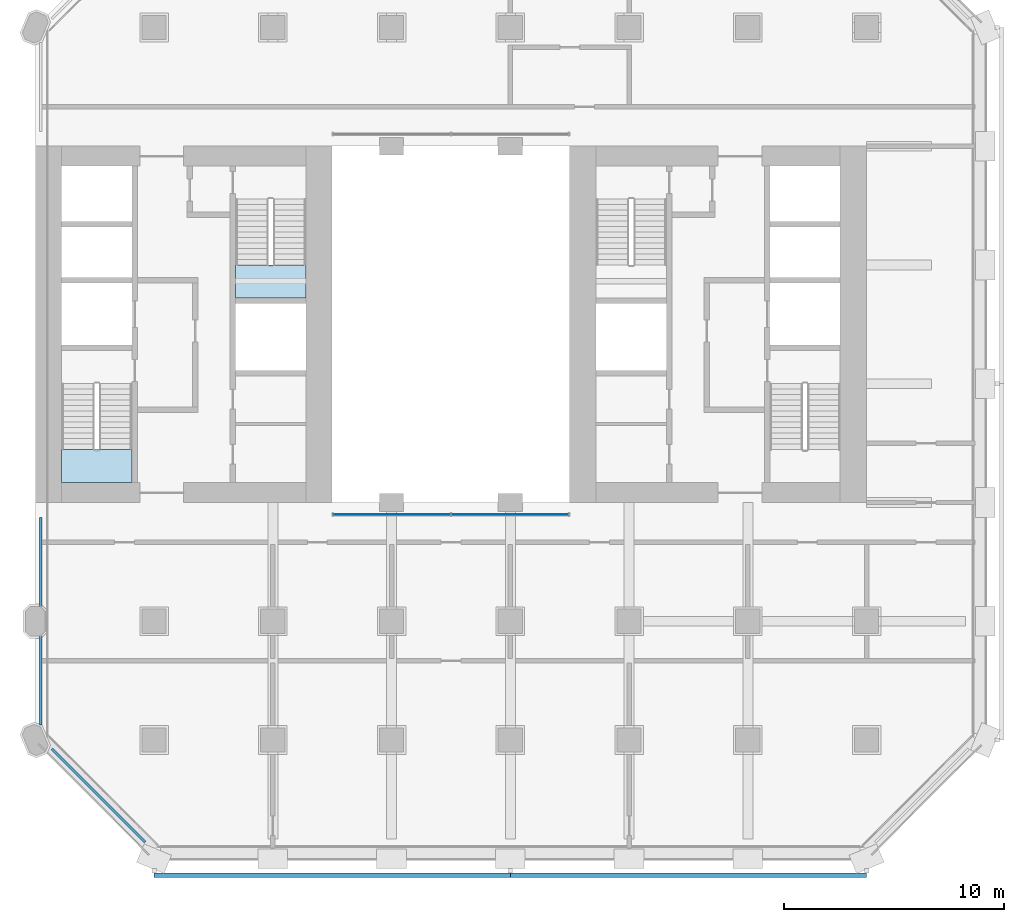
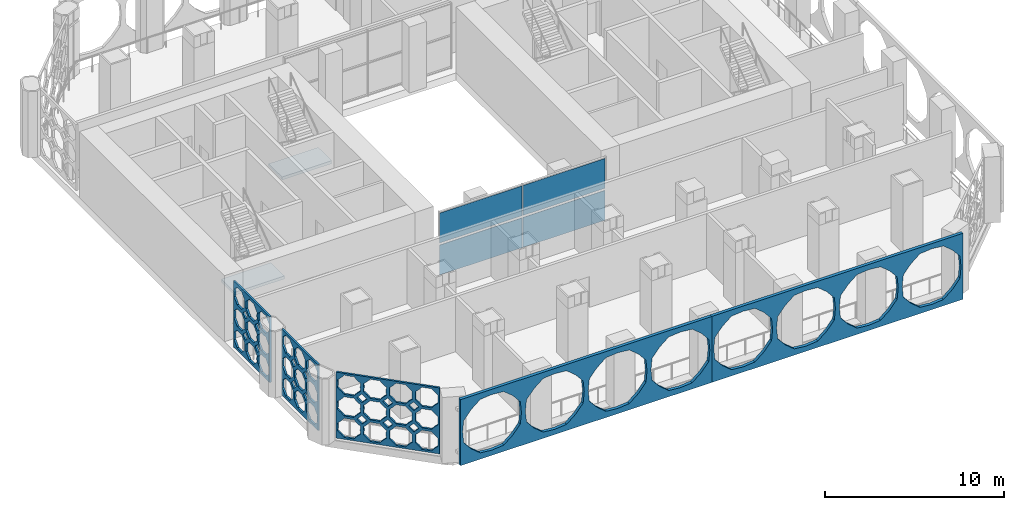
# One storey, part 5 of 14: 9 plates, 2 slabs, 3 elements without a shape of their own.
"""IFC4 building model written with IfcOpenShell, lengths in metres."""

from ifc_helpers import new_model, si_unit, direction, frame, origin, origin_2d, place, context, subcontext, project, spatial, polyline, rectangle, outline, extrude, material, layer, layer_set, type_object, element, aggregate, save


model = new_model("IFC4")

# Units and contexts
model_context = context("Model", 3, precision=1e-05, world=origin(), true_north=direction((0.0, 1.0)))
body_context = subcontext(model_context, "Body", "Model", "MODEL_VIEW")
ifc_project = project(units=[si_unit("LENGTHUNIT", "METRE"), si_unit("AREAUNIT", "SQUARE_METRE"), si_unit("VOLUMEUNIT", "CUBIC_METRE"), si_unit("PLANEANGLEUNIT", "RADIAN"), si_unit("MASSUNIT", "GRAM", prefix="KILO")], contexts=[model_context])

# Site, building, storey
site_placement = place(None, origin())
site = spatial("IfcSite", under=ifc_project, at=site_placement, CompositionType="ELEMENT")
building_placement = place(site_placement, origin())
building = spatial("IfcBuilding", under=site, at=building_placement, Name="Tabaq Tower and Sports Hall", CompositionType="ELEMENT")
storey_placement = place(building_placement, frame((0.0, 0.0, 60.199951171875)))
storey = spatial("IfcBuildingStorey", under=building, at=storey_placement, Name="L13", CompositionType="ELEMENT", Elevation=60.199951171875)

# Curtain wall, plates
ifc_material_1 = material(Name="Aluminium alloy 6063-T6 framed glazing", Category="aluminium")
curtain_wall_type = type_object("IfcCurtainWallType", Name="CW1 curtain wall", PredefinedType="USERDEFINED", material=ifc_material_1)
curtain_wall_placement = place(storey_placement, origin())
curtain_wall = element("IfcCurtainWall", 1, at=curtain_wall_placement, inside=storey, type_object=curtain_wall_type, Name="Atrium glazing L13 S", ObjectType="ATRIUM ENCLOSURE", PredefinedType="USERDEFINED")
ifc_material_2 = material(Name="Clear low-emissivity glass 28 mm", Category="glass")
ifc_layer_1 = layer(ifc_material_2, 0.028076171875)
ifc_layer_set_1 = layer_set([ifc_layer_1], Name="CW1 glass panel 28")
plate_type_1 = type_object("IfcPlateType", Name="CW1 glass panel 28", PredefinedType="CURTAIN_PANEL", material=ifc_layer_set_1)
plate_1_placement = place(storey_placement, frame((21.614990234375, 15.64990234375, 0.14013671875), z_axis=(0.0, 0.0, 1.0), x_axis=(1.0, 0.0, 0.0)))
plate_1 = element("IfcPlate", 2, at=plate_1_placement, type_object=plate_type_1, Name="CW1 panel 1.1", PredefinedType="CURTAIN_PANEL", context=body_context, shape_type="SweptSolid", body=[
    extrude(rectangle(XDim=5.31005859375, YDim=0.028076171875, at=origin_2d()), origin(), (0.0, 0.0, 1.0), 2.0400390625),
])
plate_2_placement = place(storey_placement, frame((21.614990234375, 15.64990234375, 2.320068359375), z_axis=(0.0, 0.0, 1.0), x_axis=(1.0, 0.0, 0.0)))
plate_2 = element("IfcPlate", 3, at=plate_2_placement, type_object=plate_type_1, Name="CW1 panel 1.2", PredefinedType="CURTAIN_PANEL", context=body_context, shape_type="SweptSolid", body=[
    extrude(rectangle(XDim=5.31005859375, YDim=0.028076171875, at=origin_2d()), origin(), (0.0, 0.0, 1.0), 2.0400390625),
])
plate_3_placement = place(storey_placement, frame((26.985107421875, 15.64990234375, 0.14013671875), z_axis=(0.0, 0.0, 1.0), x_axis=(1.0, 0.0, 0.0)))
plate_3 = element("IfcPlate", 4, at=plate_3_placement, type_object=plate_type_1, Name="CW1 panel 2.1", PredefinedType="CURTAIN_PANEL", context=body_context, shape_type="SweptSolid", body=[
    extrude(rectangle(XDim=5.31005859375, YDim=0.028076171875, at=origin_2d()), origin(), (0.0, 0.0, 1.0), 2.0400390625),
])
plate_4_placement = place(storey_placement, frame((26.985107421875, 15.64990234375, 2.320068359375), z_axis=(0.0, 0.0, 1.0), x_axis=(1.0, 0.0, 0.0)))
plate_4 = element("IfcPlate", 5, at=plate_4_placement, type_object=plate_type_1, Name="CW1 panel 2.2", PredefinedType="CURTAIN_PANEL", context=body_context, shape_type="SweptSolid", body=[
    extrude(rectangle(XDim=5.31005859375, YDim=0.028076171875, at=origin_2d()), origin(), (0.0, 0.0, 1.0), 2.0400390625),
])
aggregate(curtain_wall, [plate_1, plate_2, plate_3, plate_4])

# Stair, slab
ifc_material_3 = material(Name="Concrete C40/50", Category="concrete")
stair_type = type_object("IfcStairType", Name="Exit stair", PredefinedType="HALF_TURN_STAIR", material=ifc_material_3)
stair_1_placement = place(storey_placement, origin())
stair_1 = element("IfcStair", 6, at=stair_1_placement, inside=storey, type_object=stair_type, Name="L13 Exit stair ST1", PredefinedType="HALF_TURN_STAIR")
ifc_material_4 = material(Name="Concrete C40/50", Category="concrete")
ifc_layer_2 = layer(ifc_material_4, 0.199951171875)
ifc_layer_set_2 = layer_set([ifc_layer_2], Name="Exit stair landing")
slab_type = type_object("IfcSlabType", Name="Exit stair landing", PredefinedType="LANDING", material=ifc_layer_set_2)
slab_1_placement = place(storey_placement, frame((0.0, 0.0, 2.199951171875)))
slab_1 = element("IfcSlab", 7, at=slab_1_placement, type_object=slab_type, Name="ST1 landing 1", PredefinedType="LANDING", context=body_context, shape_type="SweptSolid", body=[
    extrude(outline(polyline([(6.60009765625, 18.60009765625), (6.60009765625, 17.10009765625), (9.800048828125, 17.10009765625), (9.800048828125, 18.60009765625), (6.60009765625, 18.60009765625)])), origin(), (0.0, 0.0, 1.0), 0.2001953125),
])
aggregate(stair_1, [slab_1])

stair_2_placement = place(storey_placement, origin())
stair_2 = element("IfcStair", 8, at=stair_2_placement, inside=storey, type_object=stair_type, Name="L13 Exit stair ST2", PredefinedType="HALF_TURN_STAIR")
slab_2_placement = place(storey_placement, frame((0.0, 0.0, 2.199951171875)))
slab_2 = element("IfcSlab", 9, at=slab_2_placement, type_object=slab_type, Name="ST2 landing 1", PredefinedType="LANDING", context=body_context, shape_type="SweptSolid", body=[
    extrude(outline(polyline([(14.5, 27.0), (14.5, 25.5), (17.699951171875, 25.5), (17.699951171875, 27.0), (14.5, 27.0)])), origin(), (0.0, 0.0, 1.0), 0.2001953125),
])
aggregate(stair_2, [slab_2])

# Plates
ifc_material_5 = material(Name="White precast concrete C60/75 pierced screen", Category="concrete")
ifc_layer_3 = layer(ifc_material_5, 0.199951171875)
ifc_layer_set_3 = layer_set([ifc_layer_3], Name="White precast concrete C60/75 girih screen 200")
plate_type_2 = type_object("IfcPlateType", Name="White precast concrete C60/75 girih screen 200", PredefinedType="USERDEFINED", material=ifc_layer_set_3)
plate_5_placement = place(storey_placement, frame((10.800048828125, -0.75, 0.0), z_axis=(0.0, 0.0, 1.0), x_axis=(1.0, 0.0, 0.0)))
element("IfcPlate", 10, at=plate_5_placement, inside=storey, type_object=plate_type_2, Name="Girih screen L13 S", ObjectType="SCREEN", PredefinedType="USERDEFINED", context=body_context, shape_type="SweptSolid", body=[
    extrude(outline(polyline([(0.0, 0.0), (16.199951171875, 0.0), (16.199951171875, 4.5), (0.0, 4.5), (0.0, 0.0)]), holes=[polyline([(3.85107421875, 3.00634765625), (3.36669921875, 3.591552734375), (2.78125, 4.075927734375), (2.02490234375, 4.1474609375), (1.2685546875, 4.075927734375), (0.683349609375, 3.591552734375), (0.198974609375, 3.00634765625), (0.127685546875, 2.25), (0.198974609375, 1.49365234375), (0.683349609375, 0.908447265625), (1.2685546875, 0.424072265625), (2.02490234375, 0.352783203125), (2.78125, 0.424072265625), (3.36669921875, 0.908447265625), (3.85107421875, 1.49365234375), (3.92236328125, 2.25), (3.85107421875, 3.00634765625)]), polyline([(7.90087890625, 3.00634765625), (7.41650390625, 3.591552734375), (6.831298828125, 4.075927734375), (6.074951171875, 4.1474609375), (5.318603515625, 4.075927734375), (4.7333984375, 3.591552734375), (4.2490234375, 3.00634765625), (4.177734375, 2.25), (4.2490234375, 1.49365234375), (4.7333984375, 0.908447265625), (5.318603515625, 0.424072265625), (6.074951171875, 0.352783203125), (6.831298828125, 0.424072265625), (7.41650390625, 0.908447265625), (7.90087890625, 1.49365234375), (7.972412109375, 2.25), (7.90087890625, 3.00634765625)]), polyline([(11.950927734375, 3.00634765625), (11.466552734375, 3.591552734375), (10.88134765625, 4.075927734375), (10.125, 4.1474609375), (9.36865234375, 4.075927734375), (8.783447265625, 3.591552734375), (8.299072265625, 3.00634765625), (8.2275390625, 2.25), (8.299072265625, 1.49365234375), (8.783447265625, 0.908447265625), (9.36865234375, 0.424072265625), (10.125, 0.352783203125), (10.88134765625, 0.424072265625), (11.466552734375, 0.908447265625), (11.950927734375, 1.49365234375), (12.0224609375, 2.25), (11.950927734375, 3.00634765625)]), polyline([(16.0009765625, 3.00634765625), (15.5166015625, 3.591552734375), (14.931396484375, 4.075927734375), (14.175048828125, 4.1474609375), (13.418701171875, 4.075927734375), (12.83349609375, 3.591552734375), (12.34912109375, 3.00634765625), (12.277587890625, 2.25), (12.34912109375, 1.49365234375), (12.83349609375, 0.908447265625), (13.418701171875, 0.424072265625), (14.175048828125, 0.352783203125), (14.931396484375, 0.424072265625), (15.5166015625, 0.908447265625), (16.0009765625, 1.49365234375), (16.072265625, 2.25), (16.0009765625, 3.00634765625)])]), frame((0.0, 0.10009765625, 0.0), z_axis=(0.0, -1.0, 0.0), x_axis=(1.0, 0.0, 0.0)), (0.0, 0.0, 1.0), 0.199951171875),
])
plate_6_placement = place(storey_placement, frame((27.0, -0.75, 0.0), z_axis=(0.0, 0.0, 1.0), x_axis=(1.0, 0.0, 0.0)))
element("IfcPlate", 11, at=plate_6_placement, inside=storey, type_object=plate_type_2, Name="Girih screen L13 S", ObjectType="SCREEN", PredefinedType="USERDEFINED", context=body_context, shape_type="SweptSolid", body=[
    extrude(outline(polyline([(0.0, 0.0), (16.199951171875, 0.0), (16.199951171875, 4.5), (0.0, 4.5), (0.0, 0.0)]), holes=[polyline([(3.85107421875, 3.00634765625), (3.36669921875, 3.591552734375), (2.78125, 4.075927734375), (2.02490234375, 4.1474609375), (1.2685546875, 4.075927734375), (0.683349609375, 3.591552734375), (0.198974609375, 3.00634765625), (0.127685546875, 2.25), (0.198974609375, 1.49365234375), (0.683349609375, 0.908447265625), (1.2685546875, 0.424072265625), (2.02490234375, 0.352783203125), (2.78125, 0.424072265625), (3.36669921875, 0.908447265625), (3.85107421875, 1.49365234375), (3.92236328125, 2.25), (3.85107421875, 3.00634765625)]), polyline([(7.90087890625, 3.00634765625), (7.41650390625, 3.591552734375), (6.831298828125, 4.075927734375), (6.074951171875, 4.1474609375), (5.318603515625, 4.075927734375), (4.7333984375, 3.591552734375), (4.2490234375, 3.00634765625), (4.177734375, 2.25), (4.2490234375, 1.49365234375), (4.7333984375, 0.908447265625), (5.318603515625, 0.424072265625), (6.074951171875, 0.352783203125), (6.831298828125, 0.424072265625), (7.41650390625, 0.908447265625), (7.90087890625, 1.49365234375), (7.972412109375, 2.25), (7.90087890625, 3.00634765625)]), polyline([(11.950927734375, 3.00634765625), (11.466552734375, 3.591552734375), (10.88134765625, 4.075927734375), (10.125, 4.1474609375), (9.36865234375, 4.075927734375), (8.783447265625, 3.591552734375), (8.299072265625, 3.00634765625), (8.2275390625, 2.25), (8.299072265625, 1.49365234375), (8.783447265625, 0.908447265625), (9.36865234375, 0.424072265625), (10.125, 0.352783203125), (10.88134765625, 0.424072265625), (11.466552734375, 0.908447265625), (11.950927734375, 1.49365234375), (12.0224609375, 2.25), (11.950927734375, 3.00634765625)]), polyline([(16.0009765625, 3.00634765625), (15.5166015625, 3.591552734375), (14.931396484375, 4.075927734375), (14.175048828125, 4.1474609375), (13.418701171875, 4.075927734375), (12.83349609375, 3.591552734375), (12.34912109375, 3.00634765625), (12.277587890625, 2.25), (12.34912109375, 1.49365234375), (12.83349609375, 0.908447265625), (13.418701171875, 0.424072265625), (14.175048828125, 0.352783203125), (14.931396484375, 0.424072265625), (15.5166015625, 0.908447265625), (16.0009765625, 1.49365234375), (16.072265625, 2.25), (16.0009765625, 3.00634765625)])]), frame((0.0, 0.10009765625, 0.0), z_axis=(0.0, -1.0, 0.0), x_axis=(1.0, 0.0, 0.0)), (0.0, 0.0, 1.0), 0.199951171875),
])
ifc_material_6 = material(Name="White precast concrete C60/75 pierced screen", Category="concrete")
ifc_layer_4 = layer(ifc_material_6, 0.1201171875)
ifc_layer_set_4 = layer_set([ifc_layer_4], Name="White precast concrete C60/75 screen 120")
plate_type_3 = type_object("IfcPlateType", Name="White precast concrete C60/75 screen 120", PredefinedType="USERDEFINED", material=ifc_layer_set_4)
plate_7_placement = place(storey_placement, frame((5.64990234375, 15.52490234375, 0.0), z_axis=(0.0, 0.0, 1.0), x_axis=(0.0, -1.0, 0.0)))
element("IfcPlate", 12, at=plate_7_placement, inside=storey, type_object=plate_type_3, Name="Pierced screen L13 W", ObjectType="SCREEN", PredefinedType="USERDEFINED", context=body_context, shape_type="SweptSolid", body=[
    extrude(outline(polyline([(0.0, 0.0), (4.0498046875, 0.0), (4.0498046875, 4.5), (0.0, 4.5), (0.0, 0.0)]), holes=[polyline([(1.28369140625, 1.035400390625), (1.09423828125, 1.20263671875), (0.927001953125, 1.39208984375), (0.675048828125, 1.376220703125), (0.4228515625, 1.39208984375), (0.255859375, 1.20263671875), (0.06640625, 1.035400390625), (0.08203125, 0.783447265625), (0.06640625, 0.53125), (0.255859375, 0.364013671875), (0.4228515625, 0.1748046875), (0.675048828125, 0.1904296875), (0.927001953125, 0.1748046875), (1.09423828125, 0.364013671875), (1.28369140625, 0.53125), (1.267822265625, 0.783447265625), (1.28369140625, 1.035400390625)]), polyline([(1.28369140625, 2.502197265625), (1.09423828125, 2.669189453125), (0.927001953125, 2.858642578125), (0.675048828125, 2.843017578125), (0.4228515625, 2.858642578125), (0.255859375, 2.669189453125), (0.06640625, 2.502197265625), (0.08203125, 2.25), (0.06640625, 1.998046875), (0.255859375, 1.830810546875), (0.4228515625, 1.641357421875), (0.675048828125, 1.6572265625), (0.927001953125, 1.641357421875), (1.09423828125, 1.830810546875), (1.28369140625, 1.998046875), (1.267822265625, 2.25), (1.28369140625, 2.502197265625)]), polyline([(1.28369140625, 3.96875), (1.09423828125, 4.135986328125), (0.927001953125, 4.325439453125), (0.675048828125, 4.3095703125), (0.4228515625, 4.325439453125), (0.255859375, 4.135986328125), (0.06640625, 3.96875), (0.08203125, 3.716796875), (0.06640625, 3.464599609375), (0.255859375, 3.29736328125), (0.4228515625, 3.108154296875), (0.675048828125, 3.123779296875), (0.927001953125, 3.108154296875), (1.09423828125, 3.29736328125), (1.28369140625, 3.464599609375), (1.267822265625, 3.716796875), (1.28369140625, 3.96875)]), polyline([(2.633544921875, 1.035400390625), (2.4443359375, 1.20263671875), (2.277099609375, 1.39208984375), (2.02490234375, 1.376220703125), (1.77294921875, 1.39208984375), (1.605712890625, 1.20263671875), (1.416259765625, 1.035400390625), (1.43212890625, 0.783447265625), (1.416259765625, 0.53125), (1.605712890625, 0.364013671875), (1.77294921875, 0.1748046875), (2.02490234375, 0.1904296875), (2.277099609375, 0.1748046875), (2.4443359375, 0.364013671875), (2.633544921875, 0.53125), (2.617919921875, 0.783447265625), (2.633544921875, 1.035400390625)]), polyline([(2.633544921875, 2.502197265625), (2.4443359375, 2.669189453125), (2.277099609375, 2.858642578125), (2.02490234375, 2.843017578125), (1.77294921875, 2.858642578125), (1.605712890625, 2.669189453125), (1.416259765625, 2.502197265625), (1.43212890625, 2.25), (1.416259765625, 1.998046875), (1.605712890625, 1.830810546875), (1.77294921875, 1.641357421875), (2.02490234375, 1.6572265625), (2.277099609375, 1.641357421875), (2.4443359375, 1.830810546875), (2.633544921875, 1.998046875), (2.617919921875, 2.25), (2.633544921875, 2.502197265625)]), polyline([(2.633544921875, 3.96875), (2.4443359375, 4.135986328125), (2.277099609375, 4.325439453125), (2.02490234375, 4.3095703125), (1.77294921875, 4.325439453125), (1.605712890625, 4.135986328125), (1.416259765625, 3.96875), (1.43212890625, 3.716796875), (1.416259765625, 3.464599609375), (1.605712890625, 3.29736328125), (1.77294921875, 3.108154296875), (2.02490234375, 3.123779296875), (2.277099609375, 3.108154296875), (2.4443359375, 3.29736328125), (2.633544921875, 3.464599609375), (2.617919921875, 3.716796875), (2.633544921875, 3.96875)]), polyline([(3.983642578125, 1.035400390625), (3.794189453125, 1.20263671875), (3.627197265625, 1.39208984375), (3.375, 1.376220703125), (3.122802734375, 1.39208984375), (2.955810546875, 1.20263671875), (2.766357421875, 1.035400390625), (2.781982421875, 0.783447265625), (2.766357421875, 0.53125), (2.955810546875, 0.364013671875), (3.122802734375, 0.1748046875), (3.375, 0.1904296875), (3.627197265625, 0.1748046875), (3.794189453125, 0.364013671875), (3.983642578125, 0.53125), (3.968017578125, 0.783447265625), (3.983642578125, 1.035400390625)]), polyline([(3.983642578125, 2.502197265625), (3.794189453125, 2.669189453125), (3.627197265625, 2.858642578125), (3.375, 2.843017578125), (3.122802734375, 2.858642578125), (2.955810546875, 2.669189453125), (2.766357421875, 2.502197265625), (2.781982421875, 2.25), (2.766357421875, 1.998046875), (2.955810546875, 1.830810546875), (3.122802734375, 1.641357421875), (3.375, 1.6572265625), (3.627197265625, 1.641357421875), (3.794189453125, 1.830810546875), (3.983642578125, 1.998046875), (3.968017578125, 2.25), (3.983642578125, 2.502197265625)]), polyline([(3.983642578125, 3.96875), (3.794189453125, 4.135986328125), (3.627197265625, 4.325439453125), (3.375, 4.3095703125), (3.122802734375, 4.325439453125), (2.955810546875, 4.135986328125), (2.766357421875, 3.96875), (2.781982421875, 3.716796875), (2.766357421875, 3.464599609375), (2.955810546875, 3.29736328125), (3.122802734375, 3.108154296875), (3.375, 3.123779296875), (3.627197265625, 3.108154296875), (3.794189453125, 3.29736328125), (3.983642578125, 3.464599609375), (3.968017578125, 3.716796875), (3.983642578125, 3.96875)]), polyline([(1.6201171875, 1.5166015625), (1.35009765625, 1.78662109375), (1.080078125, 1.5166015625), (1.35009765625, 1.246826171875), (1.6201171875, 1.5166015625)]), polyline([(1.6201171875, 2.9833984375), (1.35009765625, 3.25341796875), (1.080078125, 2.9833984375), (1.35009765625, 2.71337890625), (1.6201171875, 2.9833984375)]), polyline([(2.969970703125, 1.5166015625), (2.699951171875, 1.78662109375), (2.429931640625, 1.5166015625), (2.699951171875, 1.246826171875), (2.969970703125, 1.5166015625)]), polyline([(2.969970703125, 2.9833984375), (2.699951171875, 3.25341796875), (2.429931640625, 2.9833984375), (2.699951171875, 2.71337890625), (2.969970703125, 2.9833984375)])]), frame((0.0, 0.06005859375, 0.0), z_axis=(0.0, -1.0, 0.0), x_axis=(1.0, 0.0, 0.0)), (0.0, 0.0, 1.0), 0.1201171875),
])
plate_8_placement = place(storey_placement, frame((5.64990234375, 10.125, 0.0), z_axis=(0.0, 0.0, 1.0), x_axis=(0.0, -1.0, 0.0)))
element("IfcPlate", 13, at=plate_8_placement, inside=storey, type_object=plate_type_3, Name="Pierced screen L13 W", ObjectType="SCREEN", PredefinedType="USERDEFINED", context=body_context, shape_type="SweptSolid", body=[
    extrude(outline(polyline([(0.0, 0.0), (4.050048828125, 0.0), (4.050048828125, 4.5), (0.0, 4.5), (0.0, 0.0)]), holes=[polyline([(1.28369140625, 1.035400390625), (1.09423828125, 1.20263671875), (0.927001953125, 1.39208984375), (0.675048828125, 1.376220703125), (0.4228515625, 1.39208984375), (0.255859375, 1.20263671875), (0.06640625, 1.035400390625), (0.08203125, 0.783447265625), (0.06640625, 0.53125), (0.255859375, 0.364013671875), (0.4228515625, 0.1748046875), (0.675048828125, 0.1904296875), (0.927001953125, 0.1748046875), (1.09423828125, 0.364013671875), (1.28369140625, 0.53125), (1.267822265625, 0.783447265625), (1.28369140625, 1.035400390625)]), polyline([(1.28369140625, 2.502197265625), (1.09423828125, 2.669189453125), (0.927001953125, 2.858642578125), (0.675048828125, 2.843017578125), (0.4228515625, 2.858642578125), (0.255859375, 2.669189453125), (0.06640625, 2.502197265625), (0.08203125, 2.25), (0.06640625, 1.998046875), (0.255859375, 1.830810546875), (0.4228515625, 1.641357421875), (0.675048828125, 1.6572265625), (0.927001953125, 1.641357421875), (1.09423828125, 1.830810546875), (1.28369140625, 1.998046875), (1.267822265625, 2.25), (1.28369140625, 2.502197265625)]), polyline([(1.28369140625, 3.96875), (1.09423828125, 4.135986328125), (0.927001953125, 4.325439453125), (0.675048828125, 4.3095703125), (0.4228515625, 4.325439453125), (0.255859375, 4.135986328125), (0.06640625, 3.96875), (0.08203125, 3.716796875), (0.06640625, 3.464599609375), (0.255859375, 3.29736328125), (0.4228515625, 3.108154296875), (0.675048828125, 3.123779296875), (0.927001953125, 3.108154296875), (1.09423828125, 3.29736328125), (1.28369140625, 3.464599609375), (1.267822265625, 3.716796875), (1.28369140625, 3.96875)]), polyline([(2.633544921875, 1.035400390625), (2.4443359375, 1.20263671875), (2.277099609375, 1.39208984375), (2.02490234375, 1.376220703125), (1.77294921875, 1.39208984375), (1.605712890625, 1.20263671875), (1.416259765625, 1.035400390625), (1.43212890625, 0.783447265625), (1.416259765625, 0.53125), (1.605712890625, 0.364013671875), (1.77294921875, 0.1748046875), (2.02490234375, 0.1904296875), (2.277099609375, 0.1748046875), (2.4443359375, 0.364013671875), (2.633544921875, 0.53125), (2.617919921875, 0.783447265625), (2.633544921875, 1.035400390625)]), polyline([(2.633544921875, 2.502197265625), (2.4443359375, 2.669189453125), (2.277099609375, 2.858642578125), (2.02490234375, 2.843017578125), (1.77294921875, 2.858642578125), (1.605712890625, 2.669189453125), (1.416259765625, 2.502197265625), (1.43212890625, 2.25), (1.416259765625, 1.998046875), (1.605712890625, 1.830810546875), (1.77294921875, 1.641357421875), (2.02490234375, 1.6572265625), (2.277099609375, 1.641357421875), (2.4443359375, 1.830810546875), (2.633544921875, 1.998046875), (2.617919921875, 2.25), (2.633544921875, 2.502197265625)]), polyline([(2.633544921875, 3.96875), (2.4443359375, 4.135986328125), (2.277099609375, 4.325439453125), (2.02490234375, 4.3095703125), (1.77294921875, 4.325439453125), (1.605712890625, 4.135986328125), (1.416259765625, 3.96875), (1.43212890625, 3.716796875), (1.416259765625, 3.464599609375), (1.605712890625, 3.29736328125), (1.77294921875, 3.108154296875), (2.02490234375, 3.123779296875), (2.277099609375, 3.108154296875), (2.4443359375, 3.29736328125), (2.633544921875, 3.464599609375), (2.617919921875, 3.716796875), (2.633544921875, 3.96875)]), polyline([(3.983642578125, 1.035400390625), (3.794189453125, 1.20263671875), (3.627197265625, 1.39208984375), (3.375, 1.376220703125), (3.122802734375, 1.39208984375), (2.955810546875, 1.20263671875), (2.766357421875, 1.035400390625), (2.781982421875, 0.783447265625), (2.766357421875, 0.53125), (2.955810546875, 0.364013671875), (3.122802734375, 0.1748046875), (3.375, 0.1904296875), (3.627197265625, 0.1748046875), (3.794189453125, 0.364013671875), (3.983642578125, 0.53125), (3.968017578125, 0.783447265625), (3.983642578125, 1.035400390625)]), polyline([(3.983642578125, 2.502197265625), (3.794189453125, 2.669189453125), (3.627197265625, 2.858642578125), (3.375, 2.843017578125), (3.122802734375, 2.858642578125), (2.955810546875, 2.669189453125), (2.766357421875, 2.502197265625), (2.781982421875, 2.25), (2.766357421875, 1.998046875), (2.955810546875, 1.830810546875), (3.122802734375, 1.641357421875), (3.375, 1.6572265625), (3.627197265625, 1.641357421875), (3.794189453125, 1.830810546875), (3.983642578125, 1.998046875), (3.968017578125, 2.25), (3.983642578125, 2.502197265625)]), polyline([(3.983642578125, 3.96875), (3.794189453125, 4.135986328125), (3.627197265625, 4.325439453125), (3.375, 4.3095703125), (3.122802734375, 4.325439453125), (2.955810546875, 4.135986328125), (2.766357421875, 3.96875), (2.781982421875, 3.716796875), (2.766357421875, 3.464599609375), (2.955810546875, 3.29736328125), (3.122802734375, 3.108154296875), (3.375, 3.123779296875), (3.627197265625, 3.108154296875), (3.794189453125, 3.29736328125), (3.983642578125, 3.464599609375), (3.968017578125, 3.716796875), (3.983642578125, 3.96875)]), polyline([(1.6201171875, 1.5166015625), (1.35009765625, 1.78662109375), (1.080078125, 1.5166015625), (1.35009765625, 1.246826171875), (1.6201171875, 1.5166015625)]), polyline([(1.6201171875, 2.9833984375), (1.35009765625, 3.25341796875), (1.080078125, 2.9833984375), (1.35009765625, 2.71337890625), (1.6201171875, 2.9833984375)]), polyline([(2.969970703125, 1.5166015625), (2.699951171875, 1.78662109375), (2.429931640625, 1.5166015625), (2.699951171875, 1.246826171875), (2.969970703125, 1.5166015625)]), polyline([(2.969970703125, 2.9833984375), (2.699951171875, 3.25341796875), (2.429931640625, 2.9833984375), (2.699951171875, 2.71337890625), (2.969970703125, 2.9833984375)])]), frame((0.0, 0.06005859375, 0.0), z_axis=(0.0, -1.0, 0.0), x_axis=(1.0, 0.0, 0.0)), (0.0, 0.0, 1.0), 0.1201171875),
])
plate_9_placement = place(storey_placement, frame((6.16015625, 4.993408203125, 0.0), z_axis=(0.0, 0.0, 1.0), x_axis=(0.707106781187, -0.707106781187, 0.0)))
element("IfcPlate", 14, at=plate_9_placement, inside=storey, type_object=plate_type_3, Name="Pierced screen L13 SW", ObjectType="SCREEN", PredefinedType="USERDEFINED", context=body_context, shape_type="SweptSolid", body=[
    extrude(outline(polyline([(0.0, 0.0), (5.986572265625, 0.0), (5.986572265625, 4.5), (0.0, 4.5), (0.0, 0.0)]), holes=[polyline([(1.40966796875, 1.057373046875), (1.203857421875, 1.23876953125), (1.022216796875, 1.444580078125), (0.748291015625, 1.427490234375), (0.474365234375, 1.444580078125), (0.29296875, 1.23876953125), (0.087158203125, 1.057373046875), (0.104248046875, 0.783447265625), (0.087158203125, 0.509521484375), (0.29296875, 0.327880859375), (0.474365234375, 0.1220703125), (0.748291015625, 0.13916015625), (1.022216796875, 0.1220703125), (1.203857421875, 0.327880859375), (1.40966796875, 0.509521484375), (1.392578125, 0.783447265625), (1.40966796875, 1.057373046875)]), polyline([(1.40966796875, 2.52392578125), (1.203857421875, 2.70556640625), (1.022216796875, 2.911376953125), (0.748291015625, 2.894287109375), (0.474365234375, 2.911376953125), (0.29296875, 2.70556640625), (0.087158203125, 2.52392578125), (0.104248046875, 2.25), (0.087158203125, 1.97607421875), (0.29296875, 1.794677734375), (0.474365234375, 1.5888671875), (0.748291015625, 1.60595703125), (1.022216796875, 1.5888671875), (1.203857421875, 1.794677734375), (1.40966796875, 1.97607421875), (1.392578125, 2.25), (1.40966796875, 2.52392578125)]), polyline([(1.40966796875, 3.99072265625), (1.203857421875, 4.172119140625), (1.022216796875, 4.3779296875), (0.748291015625, 4.36083984375), (0.474365234375, 4.3779296875), (0.29296875, 4.172119140625), (0.087158203125, 3.99072265625), (0.104248046875, 3.716796875), (0.087158203125, 3.44287109375), (0.29296875, 3.26123046875), (0.474365234375, 3.055419921875), (0.748291015625, 3.072509765625), (1.022216796875, 3.055419921875), (1.203857421875, 3.26123046875), (1.40966796875, 3.44287109375), (1.392578125, 3.716796875), (1.40966796875, 3.99072265625)]), polyline([(2.90625, 1.057373046875), (2.700439453125, 1.23876953125), (2.51904296875, 1.444580078125), (2.2451171875, 1.427490234375), (1.97119140625, 1.444580078125), (1.78955078125, 1.23876953125), (1.583740234375, 1.057373046875), (1.600830078125, 0.783447265625), (1.583740234375, 0.509521484375), (1.78955078125, 0.327880859375), (1.97119140625, 0.1220703125), (2.2451171875, 0.13916015625), (2.51904296875, 0.1220703125), (2.700439453125, 0.327880859375), (2.90625, 0.509521484375), (2.88916015625, 0.783447265625), (2.90625, 1.057373046875)]), polyline([(2.90625, 2.52392578125), (2.700439453125, 2.70556640625), (2.51904296875, 2.911376953125), (2.2451171875, 2.894287109375), (1.97119140625, 2.911376953125), (1.78955078125, 2.70556640625), (1.583740234375, 2.52392578125), (1.600830078125, 2.25), (1.583740234375, 1.97607421875), (1.78955078125, 1.794677734375), (1.97119140625, 1.5888671875), (2.2451171875, 1.60595703125), (2.51904296875, 1.5888671875), (2.700439453125, 1.794677734375), (2.90625, 1.97607421875), (2.88916015625, 2.25), (2.90625, 2.52392578125)]), polyline([(2.90625, 3.99072265625), (2.700439453125, 4.172119140625), (2.51904296875, 4.3779296875), (2.2451171875, 4.36083984375), (1.97119140625, 4.3779296875), (1.78955078125, 4.172119140625), (1.583740234375, 3.99072265625), (1.600830078125, 3.716796875), (1.583740234375, 3.44287109375), (1.78955078125, 3.26123046875), (1.97119140625, 3.055419921875), (2.2451171875, 3.072509765625), (2.51904296875, 3.055419921875), (2.700439453125, 3.26123046875), (2.90625, 3.44287109375), (2.88916015625, 3.716796875), (2.90625, 3.99072265625)]), polyline([(4.403076171875, 1.057373046875), (4.197265625, 1.23876953125), (4.015625, 1.444580078125), (3.74169921875, 1.427490234375), (3.4677734375, 1.444580078125), (3.2861328125, 1.23876953125), (3.08056640625, 1.057373046875), (3.09765625, 0.783447265625), (3.08056640625, 0.509521484375), (3.2861328125, 0.327880859375), (3.4677734375, 0.1220703125), (3.74169921875, 0.13916015625), (4.015625, 0.1220703125), (4.197265625, 0.327880859375), (4.403076171875, 0.509521484375), (4.385986328125, 0.783447265625), (4.403076171875, 1.057373046875)]), polyline([(4.403076171875, 2.52392578125), (4.197265625, 2.70556640625), (4.015625, 2.911376953125), (3.74169921875, 2.894287109375), (3.4677734375, 2.911376953125), (3.2861328125, 2.70556640625), (3.08056640625, 2.52392578125), (3.09765625, 2.25), (3.08056640625, 1.97607421875), (3.2861328125, 1.794677734375), (3.4677734375, 1.5888671875), (3.74169921875, 1.60595703125), (4.015625, 1.5888671875), (4.197265625, 1.794677734375), (4.403076171875, 1.97607421875), (4.385986328125, 2.25), (4.403076171875, 2.52392578125)]), polyline([(4.403076171875, 3.99072265625), (4.197265625, 4.172119140625), (4.015625, 4.3779296875), (3.74169921875, 4.36083984375), (3.4677734375, 4.3779296875), (3.2861328125, 4.172119140625), (3.08056640625, 3.99072265625), (3.09765625, 3.716796875), (3.08056640625, 3.44287109375), (3.2861328125, 3.26123046875), (3.4677734375, 3.055419921875), (3.74169921875, 3.072509765625), (4.015625, 3.055419921875), (4.197265625, 3.26123046875), (4.403076171875, 3.44287109375), (4.385986328125, 3.716796875), (4.403076171875, 3.99072265625)]), polyline([(5.899658203125, 1.057373046875), (5.69384765625, 1.23876953125), (5.51220703125, 1.444580078125), (5.238525390625, 1.427490234375), (4.964599609375, 1.444580078125), (4.782958984375, 1.23876953125), (4.5771484375, 1.057373046875), (4.59423828125, 0.783447265625), (4.5771484375, 0.509521484375), (4.782958984375, 0.327880859375), (4.964599609375, 0.1220703125), (5.238525390625, 0.13916015625), (5.51220703125, 0.1220703125), (5.69384765625, 0.327880859375), (5.899658203125, 0.509521484375), (5.882568359375, 0.783447265625), (5.899658203125, 1.057373046875)]), polyline([(5.899658203125, 2.52392578125), (5.69384765625, 2.70556640625), (5.51220703125, 2.911376953125), (5.238525390625, 2.894287109375), (4.964599609375, 2.911376953125), (4.782958984375, 2.70556640625), (4.5771484375, 2.52392578125), (4.59423828125, 2.25), (4.5771484375, 1.97607421875), (4.782958984375, 1.794677734375), (4.964599609375, 1.5888671875), (5.238525390625, 1.60595703125), (5.51220703125, 1.5888671875), (5.69384765625, 1.794677734375), (5.899658203125, 1.97607421875), (5.882568359375, 2.25), (5.899658203125, 2.52392578125)]), polyline([(5.899658203125, 3.99072265625), (5.69384765625, 4.172119140625), (5.51220703125, 4.3779296875), (5.238525390625, 4.36083984375), (4.964599609375, 4.3779296875), (4.782958984375, 4.172119140625), (4.5771484375, 3.99072265625), (4.59423828125, 3.716796875), (4.5771484375, 3.44287109375), (4.782958984375, 3.26123046875), (4.964599609375, 3.055419921875), (5.238525390625, 3.072509765625), (5.51220703125, 3.055419921875), (5.69384765625, 3.26123046875), (5.899658203125, 3.44287109375), (5.882568359375, 3.716796875), (5.899658203125, 3.99072265625)]), polyline([(1.7900390625, 1.5166015625), (1.49658203125, 1.81005859375), (1.203369140625, 1.5166015625), (1.49658203125, 1.223388671875), (1.7900390625, 1.5166015625)]), polyline([(1.7900390625, 2.9833984375), (1.49658203125, 3.276611328125), (1.203369140625, 2.9833984375), (1.49658203125, 2.68994140625), (1.7900390625, 2.9833984375)]), polyline([(3.28662109375, 1.5166015625), (2.993408203125, 1.81005859375), (2.699951171875, 1.5166015625), (2.993408203125, 1.223388671875), (3.28662109375, 1.5166015625)]), polyline([(3.28662109375, 2.9833984375), (2.993408203125, 3.276611328125), (2.699951171875, 2.9833984375), (2.993408203125, 2.68994140625), (3.28662109375, 2.9833984375)]), polyline([(4.783447265625, 1.5166015625), (4.489990234375, 1.81005859375), (4.19677734375, 1.5166015625), (4.489990234375, 1.223388671875), (4.783447265625, 1.5166015625)]), polyline([(4.783447265625, 2.9833984375), (4.489990234375, 3.276611328125), (4.19677734375, 2.9833984375), (4.489990234375, 2.68994140625), (4.783447265625, 2.9833984375)])]), frame((0.0, 0.06005859375, 0.0), z_axis=(0.0, -1.0, 0.0), x_axis=(1.0, 0.0, 0.0)), (0.0, 0.0, 1.0), 0.1201171875),
])

save(model, "model.ifc")
